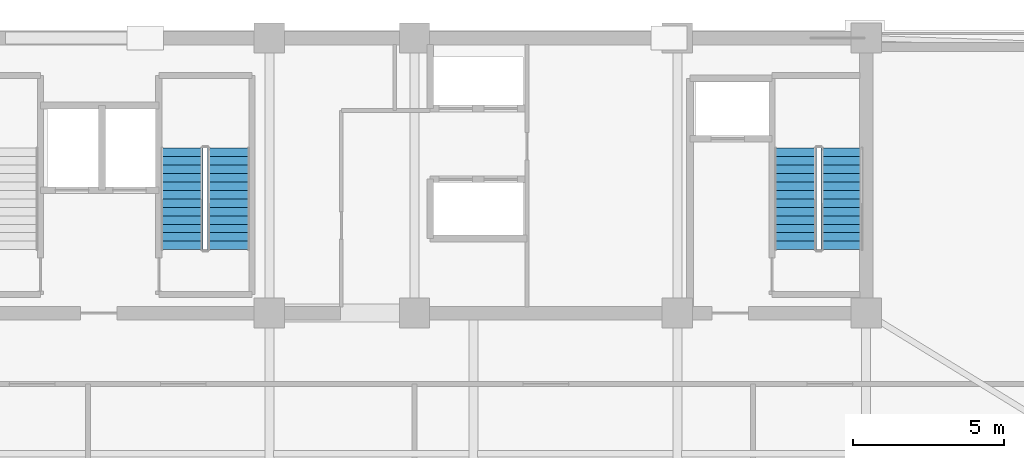
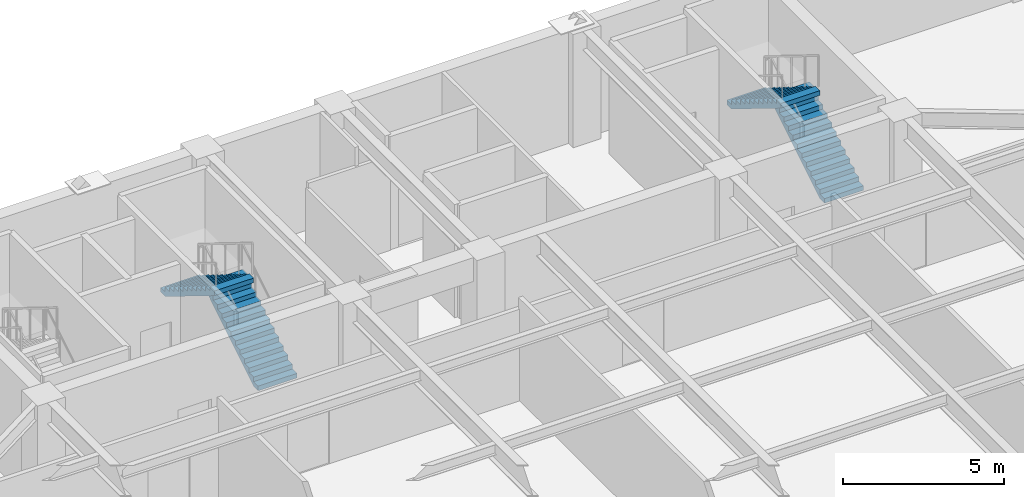
# One storey, part 4 of 9: 4 stair flights, 2 elements without a shape of their own.
"""IFC4 building model written with IfcOpenShell, lengths in metres."""

from ifc_helpers import new_model, si_unit, direction, frame, origin, place, context, subcontext, project, spatial, polyline, outline, extrude, material, type_object, element, aggregate, save


model = new_model("IFC4")

# Units and contexts
model_context = context("Model", 3, precision=1e-05, world=origin(), true_north=direction((0.0, 1.0)))
body_context = subcontext(model_context, "Body", "Model", "MODEL_VIEW")
ifc_project = project(units=[si_unit("LENGTHUNIT", "METRE"), si_unit("AREAUNIT", "SQUARE_METRE"), si_unit("VOLUMEUNIT", "CUBIC_METRE"), si_unit("PLANEANGLEUNIT", "RADIAN"), si_unit("MASSUNIT", "GRAM", prefix="KILO")], contexts=[model_context])

# Site, building, storey
site_placement = place(None, origin())
site = spatial("IfcSite", under=ifc_project, at=site_placement, CompositionType="ELEMENT")
building_placement = place(site_placement, origin())
building = spatial("IfcBuilding", under=site, at=building_placement, Name="Giltprow Tower", CompositionType="ELEMENT")
storey_placement = place(building_placement, frame((0.0, 0.0, 237.199951171875)))
storey = spatial("IfcBuildingStorey", under=building, at=storey_placement, Name="L60", CompositionType="ELEMENT", Elevation=237.199951171875)

# Stair, stair flights
ifc_material = material(Name="Concrete C40", Category="concrete")
stair_type_1 = type_object("IfcStairType", Name="STR-ST-2", PredefinedType="HALF_TURN_STAIR", material=ifc_material)
stair_1_placement = place(storey_placement, origin())
stair_1 = element("IfcStair", 1, at=stair_1_placement, inside=storey, type_object=stair_type_1, Name="L60 Core Exit Stair ST-2", PredefinedType="HALF_TURN_STAIR")
stair_flight_type_1 = type_object("IfcStairFlightType", Name="SFL-ST-2", PredefinedType="STRAIGHT", material=ifc_material)
stair_flight_1_placement = place(storey_placement, frame((29.4599609375, 39.550048828125, 0.0), z_axis=(0.0, 0.0, 1.0), x_axis=(0.0, 1.0, 0.0)))
stair_flight_1 = element("IfcStairFlight", 2, at=stair_flight_1_placement, type_object=stair_flight_type_1, Name="ST-2 flight 1", NumberOfRisers=13, NumberOfTreads=12, PredefinedType="STRAIGHT", RiserHeight=0.173076923, TreadLength=0.28, context=body_context, shape_type="SweptSolid", body=[
    extrude(outline(polyline([(0.0, 0.0), (0.0, 0.173095703125), (0.280029296875, 0.173095703125), (0.280029296875, 0.34619140625), (0.56005859375, 0.34619140625), (0.56005859375, 0.519287109375), (0.840087890625, 0.519287109375), (0.840087890625, 0.6923828125), (1.1201171875, 0.6923828125), (1.1201171875, 0.865478515625), (1.39990234375, 0.865478515625), (1.39990234375, 1.03857421875), (1.679931640625, 1.03857421875), (1.679931640625, 1.21142578125), (1.9599609375, 1.21142578125), (1.9599609375, 1.384521484375), (2.239990234375, 1.384521484375), (2.239990234375, 1.5576171875), (2.52001953125, 1.5576171875), (2.52001953125, 1.730712890625), (2.800048828125, 1.730712890625), (2.800048828125, 1.90380859375), (3.080078125, 1.90380859375), (3.080078125, 2.076904296875), (3.360107421875, 2.076904296875), (3.360107421875, 2.25), (3.360107421875, 1.900634765625), (0.28515625, 0.0), (0.0, 0.0)])), frame((0.0, 0.699951171875, 0.0), z_axis=(0.0, -1.0, 0.0), x_axis=(1.0, 0.0, 0.0)), (0.0, 0.0, 1.0), 1.39990234375),
])
stair_flight_2_placement = place(storey_placement, frame((27.89990234375, 42.909912109375, 2.25), z_axis=(0.0, 0.0, 1.0), x_axis=(0.0, -1.0, 0.0)))
stair_flight_2 = element("IfcStairFlight", 3, at=stair_flight_2_placement, type_object=stair_flight_type_1, Name="ST-2 flight 2", NumberOfRisers=13, NumberOfTreads=12, PredefinedType="STRAIGHT", RiserHeight=0.173076923, TreadLength=0.28, context=body_context, shape_type="SweptSolid", body=[
    extrude(outline(polyline([(0.0, 0.0), (0.0, 0.173095703125), (0.280029296875, 0.173095703125), (0.280029296875, 0.34619140625), (0.56005859375, 0.34619140625), (0.56005859375, 0.519287109375), (0.840087890625, 0.519287109375), (0.840087890625, 0.6923828125), (1.1201171875, 0.6923828125), (1.1201171875, 0.865478515625), (1.39990234375, 0.865478515625), (1.39990234375, 1.03857421875), (1.679931640625, 1.03857421875), (1.679931640625, 1.21142578125), (1.9599609375, 1.21142578125), (1.9599609375, 1.384521484375), (2.239990234375, 1.384521484375), (2.239990234375, 1.5576171875), (2.52001953125, 1.5576171875), (2.52001953125, 1.730712890625), (2.800048828125, 1.730712890625), (2.800048828125, 1.90380859375), (3.080078125, 1.90380859375), (3.080078125, 2.076904296875), (3.360107421875, 2.076904296875), (3.360107421875, 2.25), (3.360107421875, 1.900634765625), (0.28515625, 0.0), (0.0, 0.0)])), frame((0.0, 0.699951171875, 0.0), z_axis=(0.0, -1.0, 0.0), x_axis=(1.0, 0.0, 0.0)), (0.0, 0.0, 1.0), 1.39990234375),
])
aggregate(stair_1, [stair_flight_1, stair_flight_2])

stair_type_2 = type_object("IfcStairType", Name="STR-ST-3", PredefinedType="HALF_TURN_STAIR", material=ifc_material)
stair_2_placement = place(storey_placement, origin())
stair_2 = element("IfcStair", 4, at=stair_2_placement, inside=storey, type_object=stair_type_2, Name="L60 Core Exit Stair ST-3", PredefinedType="HALF_TURN_STAIR")
stair_flight_type_2 = type_object("IfcStairFlightType", Name="SFL-ST-3", PredefinedType="STRAIGHT", material=ifc_material)
stair_flight_3_placement = place(storey_placement, frame((49.760009765625, 39.550048828125, 0.0), z_axis=(0.0, 0.0, 1.0), x_axis=(0.0, 1.0, 0.0)))
stair_flight_3 = element("IfcStairFlight", 5, at=stair_flight_3_placement, type_object=stair_flight_type_2, Name="ST-3 flight 1", NumberOfRisers=13, NumberOfTreads=12, PredefinedType="STRAIGHT", RiserHeight=0.173076923, TreadLength=0.28, context=body_context, shape_type="SweptSolid", body=[
    extrude(outline(polyline([(0.0, 0.0), (0.0, 0.173095703125), (0.280029296875, 0.173095703125), (0.280029296875, 0.34619140625), (0.56005859375, 0.34619140625), (0.56005859375, 0.519287109375), (0.840087890625, 0.519287109375), (0.840087890625, 0.6923828125), (1.1201171875, 0.6923828125), (1.1201171875, 0.865478515625), (1.39990234375, 0.865478515625), (1.39990234375, 1.03857421875), (1.679931640625, 1.03857421875), (1.679931640625, 1.21142578125), (1.9599609375, 1.21142578125), (1.9599609375, 1.384521484375), (2.239990234375, 1.384521484375), (2.239990234375, 1.5576171875), (2.52001953125, 1.5576171875), (2.52001953125, 1.730712890625), (2.800048828125, 1.730712890625), (2.800048828125, 1.90380859375), (3.080078125, 1.90380859375), (3.080078125, 2.076904296875), (3.360107421875, 2.076904296875), (3.360107421875, 2.25), (3.360107421875, 1.900634765625), (0.28515625, 0.0), (0.0, 0.0)])), frame((0.0, 0.699951171875, 0.0), z_axis=(0.0, -1.0, 0.0), x_axis=(1.0, 0.0, 0.0)), (0.0, 0.0, 1.0), 1.39990234375),
])
stair_flight_4_placement = place(storey_placement, frame((48.199951171875, 42.909912109375, 2.25), z_axis=(0.0, 0.0, 1.0), x_axis=(0.0, -1.0, 0.0)))
stair_flight_4 = element("IfcStairFlight", 6, at=stair_flight_4_placement, type_object=stair_flight_type_2, Name="ST-3 flight 2", NumberOfRisers=13, NumberOfTreads=12, PredefinedType="STRAIGHT", RiserHeight=0.173076923, TreadLength=0.28, context=body_context, shape_type="SweptSolid", body=[
    extrude(outline(polyline([(0.0, 0.0), (0.0, 0.173095703125), (0.280029296875, 0.173095703125), (0.280029296875, 0.34619140625), (0.56005859375, 0.34619140625), (0.56005859375, 0.519287109375), (0.840087890625, 0.519287109375), (0.840087890625, 0.6923828125), (1.1201171875, 0.6923828125), (1.1201171875, 0.865478515625), (1.39990234375, 0.865478515625), (1.39990234375, 1.03857421875), (1.679931640625, 1.03857421875), (1.679931640625, 1.21142578125), (1.9599609375, 1.21142578125), (1.9599609375, 1.384521484375), (2.239990234375, 1.384521484375), (2.239990234375, 1.5576171875), (2.52001953125, 1.5576171875), (2.52001953125, 1.730712890625), (2.800048828125, 1.730712890625), (2.800048828125, 1.90380859375), (3.080078125, 1.90380859375), (3.080078125, 2.076904296875), (3.360107421875, 2.076904296875), (3.360107421875, 2.25), (3.360107421875, 1.900634765625), (0.28515625, 0.0), (0.0, 0.0)])), frame((0.0, 0.699951171875, 0.0), z_axis=(0.0, -1.0, 0.0), x_axis=(1.0, 0.0, 0.0)), (0.0, 0.0, 1.0), 1.39990234375),
])
aggregate(stair_2, [stair_flight_3, stair_flight_4])

save(model, "model.ifc")
